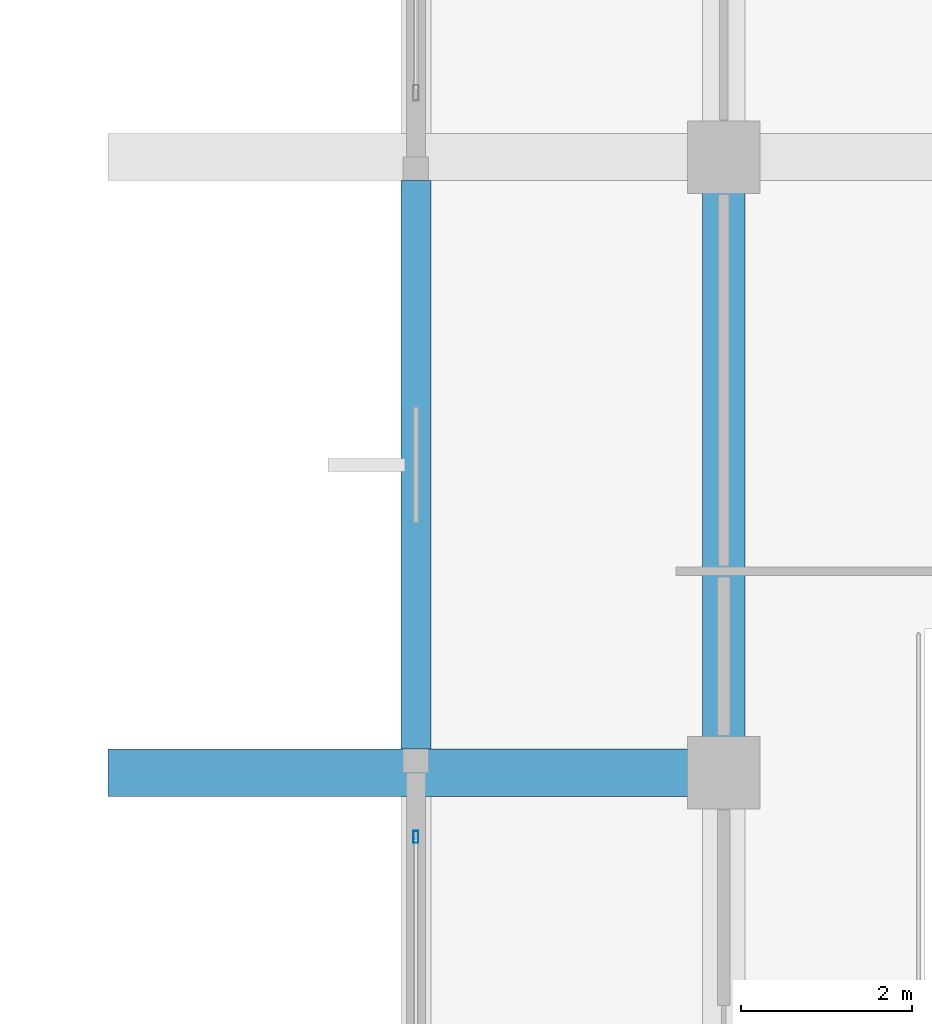
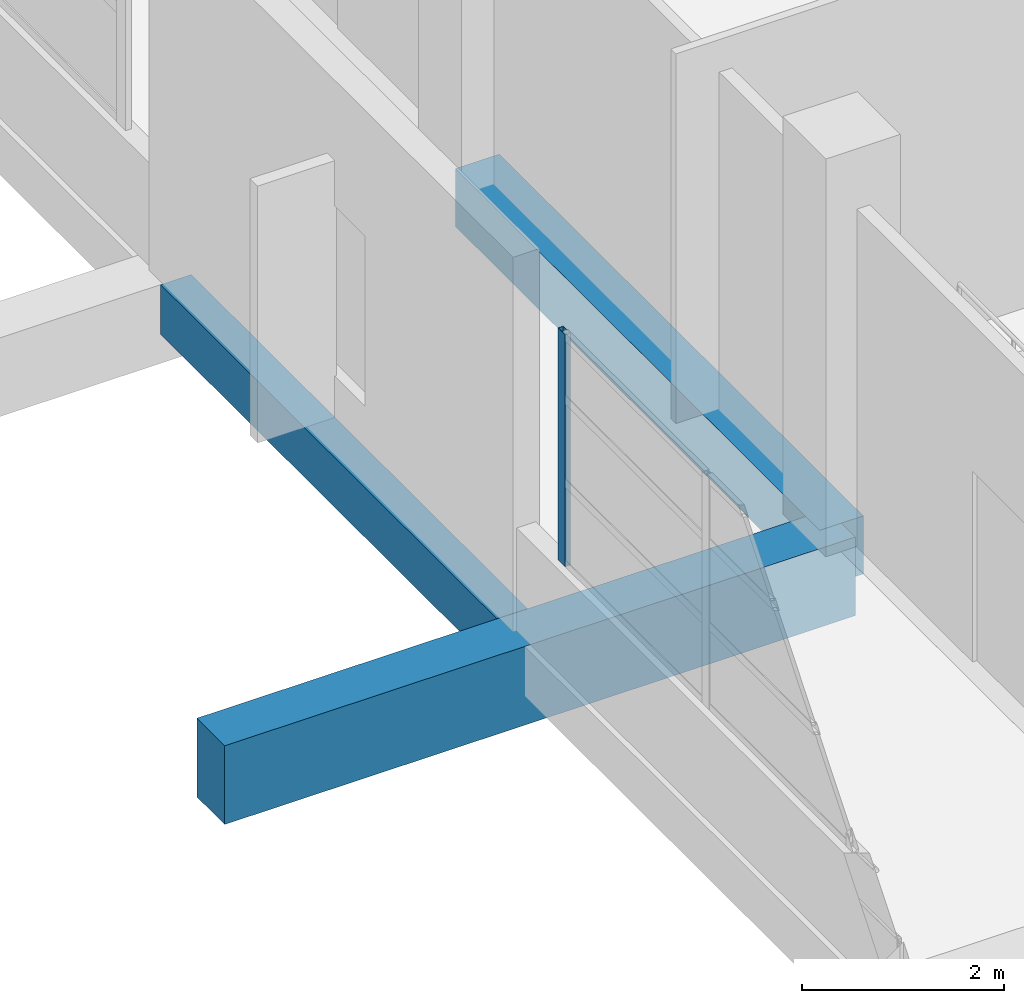
# One storey, part 22 of 181: 3 beams, 1 member, 1 element without a shape of its own.
"""IFC4 building model written with IfcOpenShell, lengths in metres."""

from ifc_helpers import new_model, si_unit, direction, frame, origin, origin_2d, place, context, subcontext, project, spatial, rectangle, hollow_rectangle, extrude, material, layer, layer_set, material_profile, profile_set, type_object, element, aggregate, save


model = new_model("IFC4")

# Units and contexts
model_context = context("Model", 3, precision=1e-05, world=origin(), true_north=direction((0.0, 1.0)))
body_context = subcontext(model_context, "Body", "Model", "MODEL_VIEW")
ifc_project = project(units=[si_unit("LENGTHUNIT", "METRE"), si_unit("AREAUNIT", "SQUARE_METRE"), si_unit("VOLUMEUNIT", "CUBIC_METRE"), si_unit("PLANEANGLEUNIT", "RADIAN"), si_unit("MASSUNIT", "GRAM", prefix="KILO")], contexts=[model_context])

# Site, building, storey
site_placement = place(None, origin())
site = spatial("IfcSite", under=ifc_project, at=site_placement, CompositionType="ELEMENT")
building_placement = place(site_placement, origin())
building = spatial("IfcBuilding", under=site, at=building_placement, Name="Seraya Terrace Polytechnic", CompositionType="ELEMENT")
storey_placement = place(building_placement, frame((0.0, 0.0, 4.800048828125)))
storey = spatial("IfcBuildingStorey", under=building, at=storey_placement, Name="L01", CompositionType="ELEMENT", Elevation=4.800048828125)

# Beams
ifc_material_1 = material(Name="Concrete C40/50", Category="concrete")
ifc_material_profile_1 = material_profile(ifc_material_1, rectangle(XDim=0.550048828125, YDim=0.949951171875, at=origin_2d()), Name="RC 550x950")
ifc_profile_set_1 = profile_set([ifc_material_profile_1], Name="Concrete C40/50")
beam_type_1 = type_object("IfcBeamType", Name="BM-03", PredefinedType="BEAM", material=ifc_profile_set_1)
beam_1_placement = place(storey_placement, frame((0.0, 57.60009765625, -0.47509765625), z_axis=(1.0, 0.0, 0.0), x_axis=(0.0, 1.0, 0.0)))
element("IfcBeam", 1, at=beam_1_placement, inside=storey, type_object=beam_type_1, Name="Beam BM-03 L01 X (0.0..7.2, 57.6)", PredefinedType="BEAM", context=body_context, shape_type="SweptSolid", body=[
    extrude(rectangle(XDim=0.550048828125, YDim=0.949951171875, at=origin_2d()), origin(), (0.0, 0.0, 1.0), 7.199951171875),
])
ifc_material_profile_2 = material_profile(ifc_material_1, rectangle(XDim=0.5, YDim=0.699951171875, at=origin_2d()), Name="RC 500x700")
ifc_profile_set_2 = profile_set([ifc_material_profile_2], Name="Concrete C40/50")
beam_type_2 = type_object("IfcBeamType", Name="BM-07", PredefinedType="BEAM", material=ifc_profile_set_2)
beam_2_placement = place(storey_placement, frame((7.199951171875, 57.60009765625, -0.35009765625), z_axis=(0.0, 1.0, 0.0), x_axis=(-1.0, 0.0, 0.0)))
element("IfcBeam", 2, at=beam_2_placement, inside=storey, type_object=beam_type_2, Name="Beam BM-07 L01 Y (7.2, 57.6..64.8)", PredefinedType="BEAM", context=body_context, shape_type="SweptSolid", body=[
    extrude(rectangle(XDim=0.5, YDim=0.699951171875, at=origin_2d()), origin(), (0.0, 0.0, 1.0), 7.199951171875),
])

# Curtain wall, member
ifc_material_2 = material(Name="Anodised aluminium EN AW-6063 T6", Category="aluminium")
ifc_layer = layer(ifc_material_2, 0.179931640625, Name="CW-03")
ifc_layer_set = layer_set([ifc_layer], Name="Anodised aluminium EN AW-6063 T6")
curtain_wall_type = type_object("IfcCurtainWallType", Name="CW-03", PredefinedType="NOTDEFINED", material=ifc_layer_set)
curtain_wall_placement = place(storey_placement, origin())
curtain_wall = element("IfcCurtainWall", 3, at=curtain_wall_placement, inside=storey, type_object=curtain_wall_type, Name="Unitised curtain wall CW-03 (CW-L01-003)", PredefinedType="NOTDEFINED")
ifc_material_profile_3 = material_profile(ifc_material_2, hollow_rectangle(XDim=0.06005859375, YDim=0.139892578125, WallThickness=0.00341796875, at=origin_2d()), Name="RHS 140x60x3.5")
ifc_profile_set_3 = profile_set([ifc_material_profile_3], Name="Anodised aluminium EN AW-6063 T6")
member_type = type_object("IfcMemberType", Name="CWM-03", PredefinedType="MULLION", material=ifc_profile_set_3)
member_placement = place(storey_placement, frame((3.60009765625, 56.85009765625, 1.239990234375), z_axis=(0.0, 0.0, 1.0), x_axis=(-1.0, 0.0, 0.0)))
member = element("IfcMember", 4, at=member_placement, type_object=member_type, Name="CW-03 mullion 3", PredefinedType="MULLION", context=body_context, shape_type="SweptSolid", body=[
    extrude(hollow_rectangle(XDim=0.06005859375, YDim=0.139892578125, WallThickness=0.00341796875, at=origin_2d()), origin(), (0.0, 0.0, 1.0), 2.800048828125),
])
aggregate(curtain_wall, [member])

# Beam
ifc_material_profile_4 = material_profile(ifc_material_1, rectangle(XDim=0.35009765625, YDim=0.60009765625, at=origin_2d()), Name="RC 350x600")
ifc_profile_set_4 = profile_set([ifc_material_profile_4], Name="Concrete C40/50")
beam_type_3 = type_object("IfcBeamType", Name="JS-02", PredefinedType="JOIST", material=ifc_profile_set_4)
beam_3_placement = place(storey_placement, frame((3.60009765625, 57.875, -0.300048828125), z_axis=(0.0, 1.0, 0.0), x_axis=(-1.0, 0.0, 0.0)))
element("IfcBeam", 5, at=beam_3_placement, inside=storey, type_object=beam_type_3, Name="Secondary joist JS-02 L01", PredefinedType="JOIST", context=body_context, shape_type="SweptSolid", body=[
    extrude(rectangle(XDim=0.35009765625, YDim=0.60009765625, at=origin_2d()), origin(), (0.0, 0.0, 1.0), 6.64990234375),
])

save(model, "model.ifc")
